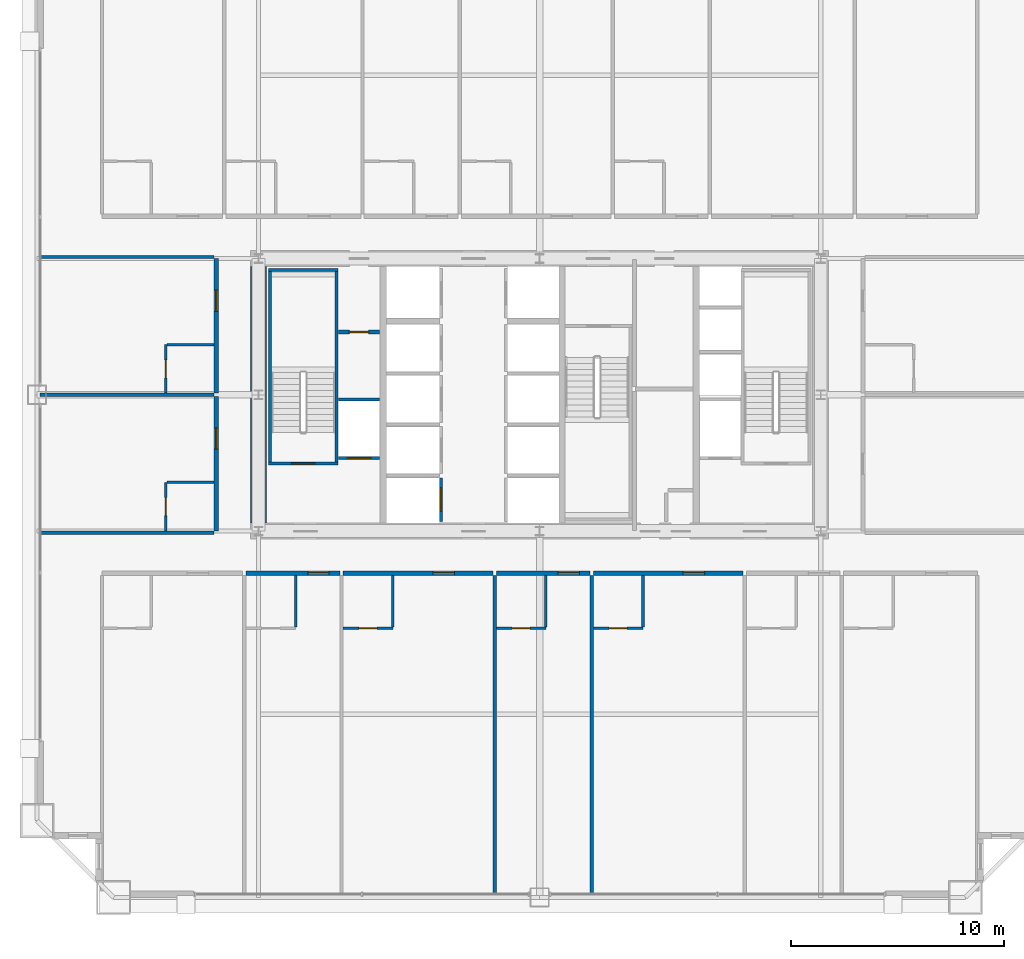
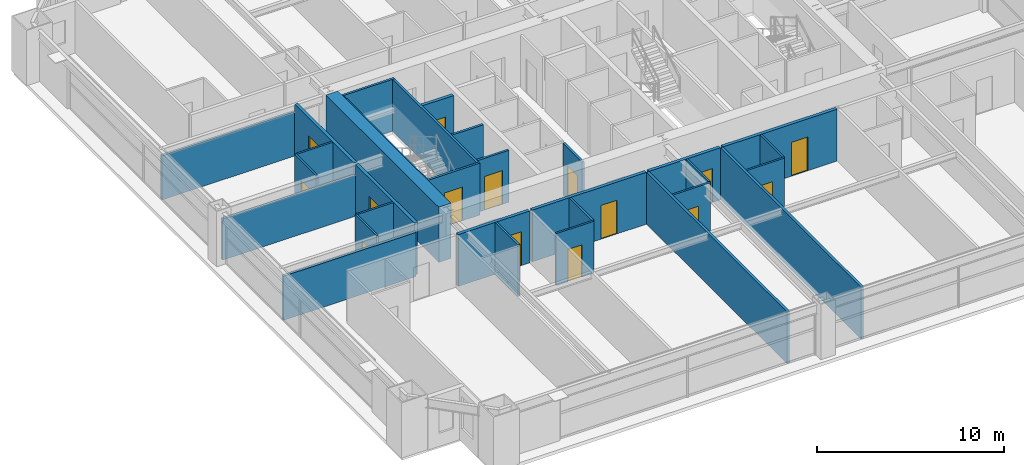
# One storey, part 34 of 38: 31 walls, 15 doors, 15 openings.
"""IFC4 building model written with IfcOpenShell, lengths in metres."""

from ifc_helpers import new_model, si_unit, direction, frame, frame_2d, origin, place, context, subcontext, project, spatial, rectangle, extrude, source, transform, mapped, material, layer, layer_set, type_object, element, fill, save


model = new_model("IFC4")

# Units and contexts
model_context = context("Model", 3, precision=1e-05, world=origin(), true_north=direction((0.0, 1.0)))
body_context = subcontext(model_context, "Body", "Model", "MODEL_VIEW")
ifc_project = project(units=[si_unit("LENGTHUNIT", "METRE"), si_unit("AREAUNIT", "SQUARE_METRE"), si_unit("VOLUMEUNIT", "CUBIC_METRE"), si_unit("PLANEANGLEUNIT", "RADIAN"), si_unit("MASSUNIT", "GRAM", prefix="KILO"), si_unit("THERMODYNAMICTEMPERATUREUNIT", "KELVIN"), si_unit("POWERUNIT", "WATT")], contexts=[model_context])

# Site, building, storey
site_placement = place(None, origin())
site = spatial("IfcSite", under=ifc_project, at=site_placement, CompositionType="ELEMENT")
building_placement = place(site_placement, origin())
building = spatial("IfcBuilding", under=site, at=building_placement, Name="Yuzanri Waterfront Tower", CompositionType="ELEMENT")
storey_placement = place(building_placement, frame((0.0, 0.0, 97.39990234375)))
storey = spatial("IfcBuildingStorey", under=building, at=storey_placement, Name="L25", CompositionType="ELEMENT", Elevation=97.39990234375)

# Wall, opening, door
ifc_material_1 = material(Name="Moisture-Resistant Gypsum Stud Wall", Category="gypsum")
ifc_layer_1 = layer(ifc_material_1, 0.1201171875)
ifc_layer_set_1 = layer_set([ifc_layer_1], Name="Moisture-Resistant Gypsum Stud Wall")
wall_type_1 = type_object("IfcWallType", Name="Bathroom and Kitchen Wet Partition 120", PredefinedType="PARTITIONING", material=ifc_layer_set_1)
wall_1_placement = place(storey_placement, frame((27.77490234375, 14.840087890625, 0.0), z_axis=(0.0, 0.0, 1.0), x_axis=(1.0, 0.0, 0.0)))
wall_1 = element("IfcWall", 1, at=wall_1_placement, inside=storey, type_object=wall_type_1, Name="L25 Partition UW-L25-S3-BS", PredefinedType="PARTITIONING", context=body_context, shape_type="SweptSolid", body=[
    extrude(rectangle(XDim=2.330078125, YDim=0.1201171875, at=frame_2d((1.1650390625, 0.0))), origin(), (0.0, 0.0, 1.0), 3.380126953125),
])
opening_1_placement = place(wall_1_placement, frame((0.739990234375, 0.0, 0.0)))
opening_1 = element("IfcOpeningElement", 2, at=opening_1_placement, cuts=wall_1, Name="Opening ID-0850", PredefinedType="OPENING", context=body_context, shape_type="SweptSolid", body=[
    extrude(rectangle(XDim=0.85009765625, YDim=2.10009765625, at=frame_2d((0.425048828125, 1.050048828125))), frame((0.0, 0.074951171875, 0.0), z_axis=(0.0, -1.0, 0.0), x_axis=(1.0, 0.0, 0.0)), (0.0, 0.0, 1.0), 0.14990234375),
])
ifc_material_2 = material(Name="Moisture-Resistant Lacquered Timber", Category="wood")
door_type_1 = type_object("IfcDoorType", Name="En-Suite Bathroom and Kitchen Swing Door 850x2100", OperationType="NOTDEFINED", PredefinedType="DOOR", material=ifc_material_2)
shared_shape_1 = source(origin(), body_context, "Body", "SweptSolid", [
    extrude(rectangle(XDim=0.85009765625, YDim=2.10009765625, at=frame_2d((0.425048828125, 1.050048828125))), frame((0.0, 0.02490234375, 0.0), z_axis=(0.0, -1.0, 0.0), x_axis=(1.0, 0.0, 0.0)), (0.0, 0.0, 1.0), 0.050048828125),
])
door_1_placement = place(opening_1_placement, origin())
door_1 = element("IfcDoor", 3, at=door_1_placement, inside=storey, type_object=door_type_1, Name="L25 Guest En-Suite Door", OperationType="SINGLE_SWING_LEFT", OverallHeight=2.10009765625, OverallWidth=0.85009765625, PredefinedType="DOOR", context=body_context, shape_type="MappedRepresentation", body=[
    mapped(shared_shape_1, transform((0.0, 0.0, 0.0), scale=1.0)),
])
fill(opening_1, door_1)

wall_2_placement = place(storey_placement, frame((34.965087890625, 14.840087890625, 0.0), z_axis=(0.0, 0.0, 1.0), x_axis=(1.0, 0.0, 0.0)))
wall_2 = element("IfcWall", 4, at=wall_2_placement, inside=storey, type_object=wall_type_1, Name="L25 Partition UW-L25-S4-BS", PredefinedType="PARTITIONING", context=body_context, shape_type="SweptSolid", body=[
    extrude(rectangle(XDim=2.328857421875, YDim=0.1201171875, at=frame_2d((1.16455078125, 0.0))), origin(), (0.0, 0.0, 1.0), 3.380126953125),
])
opening_2_placement = place(wall_2_placement, frame((0.739501953125, 0.0, 0.0)))
opening_2 = element("IfcOpeningElement", 5, at=opening_2_placement, cuts=wall_2, Name="Opening ID-0850", PredefinedType="OPENING", context=body_context, shape_type="SweptSolid", body=[
    extrude(rectangle(XDim=0.85009765625, YDim=2.10009765625, at=frame_2d((0.425048828125, 1.050048828125))), frame((0.0, 0.074951171875, 0.0), z_axis=(0.0, -1.0, 0.0), x_axis=(1.0, 0.0, 0.0)), (0.0, 0.0, 1.0), 0.14990234375),
])
door_2_placement = place(opening_2_placement, origin())
door_2 = element("IfcDoor", 6, at=door_2_placement, inside=storey, type_object=door_type_1, Name="L25 Guest En-Suite Door", OperationType="SINGLE_SWING_LEFT", OverallHeight=2.10009765625, OverallWidth=0.85009765625, PredefinedType="DOOR", context=body_context, shape_type="MappedRepresentation", body=[
    mapped(shared_shape_1, transform((0.0, 0.0, 0.0), scale=1.0)),
])
fill(opening_2, door_2)

wall_3_placement = place(storey_placement, frame((39.52392578125, 14.840087890625, 0.0), z_axis=(0.0, 0.0, 1.0), x_axis=(1.0, 0.0, 0.0)))
wall_3 = element("IfcWall", 7, at=wall_3_placement, inside=storey, type_object=wall_type_1, Name="L25 Partition UW-L25-S5-BS", PredefinedType="PARTITIONING", context=body_context, shape_type="SweptSolid", body=[
    extrude(rectangle(XDim=2.330078125, YDim=0.1201171875, at=frame_2d((1.1650390625, 0.0))), origin(), (0.0, 0.0, 1.0), 3.380126953125),
])
opening_3_placement = place(wall_3_placement, frame((0.739990234375, 0.0, 0.0)))
opening_3 = element("IfcOpeningElement", 8, at=opening_3_placement, cuts=wall_3, Name="Opening ID-0850", PredefinedType="OPENING", context=body_context, shape_type="SweptSolid", body=[
    extrude(rectangle(XDim=0.85009765625, YDim=2.10009765625, at=frame_2d((0.425048828125, 1.050048828125))), frame((0.0, 0.074951171875, 0.0), z_axis=(0.0, -1.0, 0.0), x_axis=(1.0, 0.0, 0.0)), (0.0, 0.0, 1.0), 0.14990234375),
])
door_3_placement = place(opening_3_placement, origin())
door_3 = element("IfcDoor", 9, at=door_3_placement, inside=storey, type_object=door_type_1, Name="L25 Guest En-Suite Door", OperationType="SINGLE_SWING_LEFT", OverallHeight=2.10009765625, OverallWidth=0.85009765625, PredefinedType="DOOR", context=body_context, shape_type="MappedRepresentation", body=[
    mapped(shared_shape_1, transform((0.0, 0.0, 0.0), scale=1.0)),
])
fill(opening_3, door_3)

wall_4_placement = place(storey_placement, frame((19.43994140625, 19.409912109375, 0.0), z_axis=(0.0, 0.0, 1.0), x_axis=(0.0, 1.0, 0.0)))
wall_4 = element("IfcWall", 10, at=wall_4_placement, inside=storey, type_object=wall_type_1, Name="L25 Partition UW-L25-W1-BW", PredefinedType="PARTITIONING", context=body_context, shape_type="SweptSolid", body=[
    extrude(rectangle(XDim=2.280029296875, YDim=0.1201171875, at=frame_2d((1.14013671875, 0.0))), origin(), (0.0, 0.0, 1.0), 3.380126953125),
])
opening_4_placement = place(wall_4_placement, frame((0.715087890625, 0.0, 0.0)))
opening_4 = element("IfcOpeningElement", 11, at=opening_4_placement, cuts=wall_4, Name="Opening ID-0850", PredefinedType="OPENING", context=body_context, shape_type="SweptSolid", body=[
    extrude(rectangle(XDim=0.85009765625, YDim=2.10009765625, at=frame_2d((0.425048828125, 1.050048828125))), frame((0.0, 0.074951171875, 0.0), z_axis=(0.0, -1.0, 0.0), x_axis=(1.0, 0.0, 0.0)), (0.0, 0.0, 1.0), 0.14990234375),
])
door_4_placement = place(opening_4_placement, origin())
door_4 = element("IfcDoor", 12, at=door_4_placement, inside=storey, type_object=door_type_1, Name="L25 Guest En-Suite Door", OperationType="SINGLE_SWING_LEFT", OverallHeight=2.10009765625, OverallWidth=0.85009765625, PredefinedType="DOOR", context=body_context, shape_type="MappedRepresentation", body=[
    mapped(shared_shape_1, transform((0.0, 0.0, 0.0), scale=1.0)),
])
fill(opening_4, door_4)

wall_5_placement = place(storey_placement, frame((19.43994140625, 25.8798828125, 0.0), z_axis=(0.0, 0.0, 1.0), x_axis=(0.0, 1.0, 0.0)))
wall_5 = element("IfcWall", 13, at=wall_5_placement, inside=storey, type_object=wall_type_1, Name="L25 Partition UW-L25-W2-BW", PredefinedType="PARTITIONING", context=body_context, shape_type="SweptSolid", body=[
    extrude(rectangle(XDim=2.280029296875, YDim=0.1201171875, at=frame_2d((1.14013671875, 0.0))), origin(), (0.0, 0.0, 1.0), 3.380126953125),
])
opening_5_placement = place(wall_5_placement, frame((0.715087890625, 0.0, 0.0)))
opening_5 = element("IfcOpeningElement", 14, at=opening_5_placement, cuts=wall_5, Name="Opening ID-0850", PredefinedType="OPENING", context=body_context, shape_type="SweptSolid", body=[
    extrude(rectangle(XDim=0.85009765625, YDim=2.10009765625, at=frame_2d((0.425048828125, 1.050048828125))), frame((0.0, 0.074951171875, 0.0), z_axis=(0.0, -1.0, 0.0), x_axis=(1.0, 0.0, 0.0)), (0.0, 0.0, 1.0), 0.14990234375),
])
door_5_placement = place(opening_5_placement, origin())
door_5 = element("IfcDoor", 15, at=door_5_placement, inside=storey, type_object=door_type_1, Name="L25 Guest En-Suite Door", OperationType="SINGLE_SWING_LEFT", OverallHeight=2.10009765625, OverallWidth=0.85009765625, PredefinedType="DOOR", context=body_context, shape_type="MappedRepresentation", body=[
    mapped(shared_shape_1, transform((0.0, 0.0, 0.0), scale=1.0)),
])
fill(opening_5, door_5)

ifc_material_3 = material(Name="Concrete C40", Category="concrete")
ifc_layer_2 = layer(ifc_material_3, 0.139892578125)
ifc_layer_set_2 = layer_set([ifc_layer_2], Name="Concrete C40")
wall_type_2 = type_object("IfcWallType", Name="Core Stair Liner and Hoistway Shaft Wall 140", PredefinedType="SOLIDWALL", material=ifc_layer_set_2)
wall_6_placement = place(storey_placement, frame((27.56005859375, 22.830078125, 0.0), z_axis=(0.0, 0.0, 1.0), x_axis=(1.0, 0.0, 0.0)))
wall_6 = element("IfcWall", 16, at=wall_6_placement, inside=storey, type_object=wall_type_2, Name="L25 Lift FL-01 Front Shaft Wall", PredefinedType="SOLIDWALL", context=body_context, shape_type="SweptSolid", body=[
    extrude(rectangle(XDim=1.919921875, YDim=0.139892578125, at=frame_2d((0.9599609375, 0.0))), origin(), (0.0, 0.0, 1.0), 3.380126953125),
])
opening_6_placement = place(wall_6_placement, frame((0.409912109375, 0.0, 0.0)))
opening_6 = element("IfcOpeningElement", 17, at=opening_6_placement, cuts=wall_6, Name="Opening LD-FL-01", PredefinedType="OPENING", context=body_context, shape_type="SweptSolid", body=[
    extrude(rectangle(XDim=1.10009765625, YDim=2.199951171875, at=frame_2d((0.550048828125, 1.10009765625))), frame((0.0, 0.0849609375, 0.0), z_axis=(0.0, -1.0, 0.0), x_axis=(1.0, 0.0, 0.0)), (0.0, 0.0, 1.0), 0.169677734375),
])
ifc_material_4 = material(Name="Brushed Bronze and Stainless Steel Cab", Category="steel")
door_type_2 = type_object("IfcDoorType", Name="Center-Parting Bronze Lift Landing Sliding Door 1100x2200", OperationType="NOTDEFINED", PredefinedType="DOOR", material=ifc_material_4)
shared_shape_2 = source(origin(), body_context, "Body", "SweptSolid", [
    extrude(rectangle(XDim=1.10009765625, YDim=2.199951171875, at=frame_2d((0.550048828125, 1.10009765625))), frame((0.0, 0.02490234375, 0.0), z_axis=(0.0, -1.0, 0.0), x_axis=(1.0, 0.0, 0.0)), (0.0, 0.0, 1.0), 0.050048828125),
])
door_6_placement = place(opening_6_placement, origin())
door_6 = element("IfcDoor", 18, at=door_6_placement, inside=storey, type_object=door_type_2, Name="L25 FL-01 Lift Landing Sliding Door", OperationType="SLIDING_TO_LEFT", OverallHeight=2.199951171875, OverallWidth=1.10009765625, PredefinedType="DOOR", context=body_context, shape_type="MappedRepresentation", body=[
    mapped(shared_shape_2, transform((0.0, 0.0, 0.0), scale=1.0)),
])
fill(opening_6, door_6)

wall_7_placement = place(storey_placement, frame((32.3701171875, 19.860107421875, 0.0), z_axis=(0.0, 0.0, 1.0), x_axis=(0.0, 1.0, 0.0)))
wall_7 = element("IfcWall", 19, at=wall_7_placement, inside=storey, type_object=wall_type_2, Name="L25 Lift PL-01 Front Shaft Wall", PredefinedType="SOLIDWALL", context=body_context, shape_type="SweptSolid", body=[
    extrude(rectangle(XDim=2.039794921875, YDim=0.139892578125, at=frame_2d((1.02001953125, 0.0))), origin(), (0.0, 0.0, 1.0), 3.380126953125),
])
opening_7_placement = place(wall_7_placement, frame((0.469970703125, 0.0, 0.0)))
opening_7 = element("IfcOpeningElement", 20, at=opening_7_placement, cuts=wall_7, Name="Opening LD-PL-01", PredefinedType="OPENING", context=body_context, shape_type="SweptSolid", body=[
    extrude(rectangle(XDim=1.10009765625, YDim=2.199951171875, at=frame_2d((0.550048828125, 1.10009765625))), frame((0.0, 0.0849609375, 0.0), z_axis=(0.0, -1.0, 0.0), x_axis=(1.0, 0.0, 0.0)), (0.0, 0.0, 1.0), 0.169677734375),
])
door_7_placement = place(opening_7_placement, origin())
door_7 = element("IfcDoor", 21, at=door_7_placement, inside=storey, type_object=door_type_2, Name="L25 PL-01 Lift Landing Sliding Door", OperationType="SLIDING_TO_LEFT", OverallHeight=2.199951171875, OverallWidth=1.10009765625, PredefinedType="DOOR", context=body_context, shape_type="MappedRepresentation", body=[
    mapped(shared_shape_2, transform((0.0, 0.0, 0.0), scale=1.0)),
])
fill(opening_7, door_7)

wall_8_placement = place(storey_placement, frame((24.260009765625, 22.570068359375, 0.0), z_axis=(0.0, 0.0, 1.0), x_axis=(1.0, 0.0, 0.0)))
wall_8 = element("IfcWall", 22, at=wall_8_placement, inside=storey, type_object=wall_type_2, Name="L25 Shaft Wall STW-L25-ST-01-S", PredefinedType="SOLIDWALL", context=body_context, shape_type="SweptSolid", body=[
    extrude(rectangle(XDim=3.280029296875, YDim=0.139892578125, at=frame_2d((1.64013671875, 0.0))), origin(), (0.0, 0.0, 1.0), 3.380126953125),
])
opening_8_placement = place(wall_8_placement, frame((1.090087890625, 0.0, 0.0)))
opening_8 = element("IfcOpeningElement", 23, at=opening_8_placement, cuts=wall_8, Name="Opening FD-1100", PredefinedType="OPENING", context=body_context, shape_type="SweptSolid", body=[
    extrude(rectangle(XDim=1.10009765625, YDim=2.199951171875, at=frame_2d((0.550048828125, 1.10009765625))), frame((0.0, 0.0849609375, 0.0), z_axis=(0.0, -1.0, 0.0), x_axis=(1.0, 0.0, 0.0)), (0.0, 0.0, 1.0), 0.169677734375),
])
ifc_material_5 = material(Name="Painted Galvanized Fire Steel", Category="steel")
door_type_3 = type_object("IfcDoorType", Name="Smoke-Proof Stair and Lobby Fire Door 1100x2200", OperationType="NOTDEFINED", PredefinedType="DOOR", material=ifc_material_5)
shared_shape_3 = source(origin(), body_context, "Body", "SweptSolid", [
    extrude(rectangle(XDim=1.10009765625, YDim=2.199951171875, at=frame_2d((0.550048828125, 1.10009765625))), frame((0.0, 0.02490234375, 0.0), z_axis=(0.0, -1.0, 0.0), x_axis=(1.0, 0.0, 0.0)), (0.0, 0.0, 1.0), 0.050048828125),
])
door_8_placement = place(opening_8_placement, origin())
door_8 = element("IfcDoor", 24, at=door_8_placement, inside=storey, type_object=door_type_3, Name="L25 Stair ST-01 Fire Door", OperationType="SINGLE_SWING_LEFT", OverallHeight=2.199951171875, OverallWidth=1.10009765625, PredefinedType="DOOR", context=body_context, shape_type="MappedRepresentation", body=[
    mapped(shared_shape_3, transform((0.0, 0.0, 0.0), scale=1.0)),
])
fill(opening_8, door_8)

ifc_material_6 = material(Name="Autoclaved Aerated Concrete Blockwork", Category="masonry")
ifc_layer_3 = layer(ifc_material_6, 0.199951171875)
ifc_layer_set_3 = layer_set([ifc_layer_3], Name="Autoclaved Aerated Concrete Blockwork")
wall_type_3 = type_object("IfcWallType", Name="Corridor and Unit Party Fire Wall 200", PredefinedType="PARTITIONING", material=ifc_layer_set_3)
wall_9_placement = place(storey_placement, frame((27.56005859375, 28.75, 0.0), z_axis=(0.0, 0.0, 1.0), x_axis=(1.0, 0.0, 0.0)))
wall_9 = element("IfcWall", 25, at=wall_9_placement, inside=storey, type_object=wall_type_3, Name="L25 Partition CRW-L25-ERTR", PredefinedType="PARTITIONING", context=body_context, shape_type="SweptSolid", body=[
    extrude(rectangle(XDim=1.919921875, YDim=0.199951171875, at=frame_2d((0.9599609375, 0.0))), origin(), (0.0, 0.0, 1.0), 3.380126953125),
])
opening_9_placement = place(wall_9_placement, frame((0.510009765625, 0.0, 0.0)))
opening_9 = element("IfcOpeningElement", 26, at=opening_9_placement, cuts=wall_9, Name="Opening FD-0900", PredefinedType="OPENING", context=body_context, shape_type="SweptSolid", body=[
    extrude(rectangle(XDim=0.89990234375, YDim=2.14990234375, at=frame_2d((0.449951171875, 1.074951171875))), frame((0.0, 0.11474609375, 0.0), z_axis=(0.0, -1.0, 0.0), x_axis=(1.0, 0.0, 0.0)), (0.0, 0.0, 1.0), 0.229736328125),
])
ifc_material_7 = material(Name="Painted Galvanized Fire Steel", Category="steel")
door_type_4 = type_object("IfcDoorType", Name="Riser and Service Room Fire Door 900x2150", OperationType="NOTDEFINED", PredefinedType="DOOR", material=ifc_material_7)
shared_shape_4 = source(origin(), body_context, "Body", "SweptSolid", [
    extrude(rectangle(XDim=0.89990234375, YDim=2.14990234375, at=frame_2d((0.449951171875, 1.074951171875))), frame((0.0, 0.02490234375, 0.0), z_axis=(0.0, -1.0, 0.0), x_axis=(1.0, 0.0, 0.0)), (0.0, 0.0, 1.0), 0.050048828125),
])
door_9_placement = place(opening_9_placement, origin())
door_9 = element("IfcDoor", 27, at=door_9_placement, inside=storey, type_object=door_type_4, Name="L25 Electrical Riser Door", OperationType="SINGLE_SWING_RIGHT", OverallHeight=2.14990234375, OverallWidth=0.89990234375, PredefinedType="DOOR", context=body_context, shape_type="MappedRepresentation", body=[
    mapped(shared_shape_4, transform((0.0, 0.0, 0.0), scale=1.0)),
])
fill(opening_9, door_9)

wall_10_placement = place(storey_placement, frame((23.217041015625, 17.419921875, 0.0), z_axis=(0.0, 0.0, 1.0), x_axis=(1.0, 0.0, 0.0)))
wall_10 = element("IfcWall", 28, at=wall_10_placement, inside=storey, type_object=wall_type_3, Name="L25 Partition UW-L25-S2-CN", PredefinedType="PARTITIONING", context=body_context, shape_type="SweptSolid", body=[
    extrude(rectangle(XDim=4.39794921875, YDim=0.199951171875, at=frame_2d((2.198974609375, 0.0))), origin(), (0.0, 0.0, 1.0), 3.380126953125),
])
opening_10_placement = place(wall_10_placement, frame((2.903076171875, 0.0, 0.0)))
opening_10 = element("IfcOpeningElement", 29, at=opening_10_placement, cuts=wall_10, Name="Opening FD-1000", PredefinedType="OPENING", context=body_context, shape_type="SweptSolid", body=[
    extrude(rectangle(XDim=1.0, YDim=2.199951171875, at=frame_2d((0.5, 1.10009765625))), frame((0.0, 0.11474609375, 0.0), z_axis=(0.0, -1.0, 0.0), x_axis=(1.0, 0.0, 0.0)), (0.0, 0.0, 1.0), 0.229736328125),
])
ifc_material_8 = material(Name="Engineered Oak Fire-Rated Timber", Category="wood")
door_type_5 = type_object("IfcDoorType", Name="Guestroom and Apartment Entrance Fire Door 1000x2200", OperationType="NOTDEFINED", PredefinedType="DOOR", material=ifc_material_8)
shared_shape_5 = source(origin(), body_context, "Body", "SweptSolid", [
    extrude(rectangle(XDim=1.0, YDim=2.199951171875, at=frame_2d((0.5, 1.10009765625))), frame((0.0, 0.02490234375, 0.0), z_axis=(0.0, -1.0, 0.0), x_axis=(1.0, 0.0, 0.0)), (0.0, 0.0, 1.0), 0.050048828125),
])
door_10_placement = place(opening_10_placement, origin())
door_10 = element("IfcDoor", 30, at=door_10_placement, inside=storey, type_object=door_type_5, Name="L25 Superior King Guest Room Entrance Door", OperationType="SINGLE_SWING_RIGHT", OverallHeight=2.199951171875, OverallWidth=1.0, PredefinedType="DOOR", context=body_context, shape_type="MappedRepresentation", body=[
    mapped(shared_shape_5, transform((0.0, 0.0, 0.0), scale=1.0)),
])
fill(opening_10, door_10)

wall_11_placement = place(storey_placement, frame((27.77490234375, 17.419921875, 0.0), z_axis=(0.0, 0.0, 1.0), x_axis=(1.0, 0.0, 0.0)))
wall_11 = element("IfcWall", 31, at=wall_11_placement, inside=storey, type_object=wall_type_3, Name="L25 Partition UW-L25-S3-CN", PredefinedType="PARTITIONING", context=body_context, shape_type="SweptSolid", body=[
    extrude(rectangle(XDim=7.030029296875, YDim=0.199951171875, at=frame_2d((3.51513671875, 0.0))), origin(), (0.0, 0.0, 1.0), 3.380126953125),
])
opening_11_placement = place(wall_11_placement, frame((4.219970703125, 0.0, 0.0)))
opening_11 = element("IfcOpeningElement", 32, at=opening_11_placement, cuts=wall_11, Name="Opening FD-1000", PredefinedType="OPENING", context=body_context, shape_type="SweptSolid", body=[
    extrude(rectangle(XDim=1.0, YDim=2.199951171875, at=frame_2d((0.5, 1.10009765625))), frame((0.0, 0.11474609375, 0.0), z_axis=(0.0, -1.0, 0.0), x_axis=(1.0, 0.0, 0.0)), (0.0, 0.0, 1.0), 0.229736328125),
])
door_11_placement = place(opening_11_placement, origin())
door_11 = element("IfcDoor", 33, at=door_11_placement, inside=storey, type_object=door_type_5, Name="L25 Superior King Junior Suite Entrance Door", OperationType="SINGLE_SWING_RIGHT", OverallHeight=2.199951171875, OverallWidth=1.0, PredefinedType="DOOR", context=body_context, shape_type="MappedRepresentation", body=[
    mapped(shared_shape_5, transform((0.0, 0.0, 0.0), scale=1.0)),
])
fill(opening_11, door_11)

wall_12_placement = place(storey_placement, frame((34.965087890625, 17.419921875, 0.0), z_axis=(0.0, 0.0, 1.0), x_axis=(1.0, 0.0, 0.0)))
wall_12 = element("IfcWall", 34, at=wall_12_placement, inside=storey, type_object=wall_type_3, Name="L25 Partition UW-L25-S4-CN", PredefinedType="PARTITIONING", context=body_context, shape_type="SweptSolid", body=[
    extrude(rectangle(XDim=4.39892578125, YDim=0.199951171875, at=frame_2d((2.199462890625, 0.0))), origin(), (0.0, 0.0, 1.0), 3.380126953125),
])
opening_12_placement = place(wall_12_placement, frame((2.904052734375, 0.0, 0.0)))
opening_12 = element("IfcOpeningElement", 35, at=opening_12_placement, cuts=wall_12, Name="Opening FD-1000", PredefinedType="OPENING", context=body_context, shape_type="SweptSolid", body=[
    extrude(rectangle(XDim=1.0, YDim=2.199951171875, at=frame_2d((0.5, 1.10009765625))), frame((0.0, 0.11474609375, 0.0), z_axis=(0.0, -1.0, 0.0), x_axis=(1.0, 0.0, 0.0)), (0.0, 0.0, 1.0), 0.229736328125),
])
door_12_placement = place(opening_12_placement, origin())
door_12 = element("IfcDoor", 36, at=door_12_placement, inside=storey, type_object=door_type_5, Name="L25 Superior King Guest Room Entrance Door", OperationType="SINGLE_SWING_RIGHT", OverallHeight=2.199951171875, OverallWidth=1.0, PredefinedType="DOOR", context=body_context, shape_type="MappedRepresentation", body=[
    mapped(shared_shape_5, transform((0.0, 0.0, 0.0), scale=1.0)),
])
fill(opening_12, door_12)

wall_13_placement = place(storey_placement, frame((39.52392578125, 17.419921875, 0.0), z_axis=(0.0, 0.0, 1.0), x_axis=(1.0, 0.0, 0.0)))
wall_13 = element("IfcWall", 37, at=wall_13_placement, inside=storey, type_object=wall_type_3, Name="L25 Partition UW-L25-S5-CN", PredefinedType="PARTITIONING", context=body_context, shape_type="SweptSolid", body=[
    extrude(rectangle(XDim=7.030029296875, YDim=0.199951171875, at=frame_2d((3.51513671875, 0.0))), origin(), (0.0, 0.0, 1.0), 3.380126953125),
])
opening_13_placement = place(wall_13_placement, frame((4.219970703125, 0.0, 0.0)))
opening_13 = element("IfcOpeningElement", 38, at=opening_13_placement, cuts=wall_13, Name="Opening FD-1000", PredefinedType="OPENING", context=body_context, shape_type="SweptSolid", body=[
    extrude(rectangle(XDim=1.0, YDim=2.199951171875, at=frame_2d((0.5, 1.10009765625))), frame((0.0, 0.11474609375, 0.0), z_axis=(0.0, -1.0, 0.0), x_axis=(1.0, 0.0, 0.0)), (0.0, 0.0, 1.0), 0.229736328125),
])
door_13_placement = place(opening_13_placement, origin())
door_13 = element("IfcDoor", 39, at=door_13_placement, inside=storey, type_object=door_type_5, Name="L25 Superior King Junior Suite Entrance Door", OperationType="SINGLE_SWING_RIGHT", OverallHeight=2.199951171875, OverallWidth=1.0, PredefinedType="DOOR", context=body_context, shape_type="MappedRepresentation", body=[
    mapped(shared_shape_5, transform((0.0, 0.0, 0.0), scale=1.0)),
])
fill(opening_13, door_13)

wall_14_placement = place(storey_placement, frame((21.820068359375, 19.409912109375, 0.0), z_axis=(0.0, 0.0, 1.0), x_axis=(0.0, 1.0, 0.0)))
wall_14 = element("IfcWall", 40, at=wall_14_placement, inside=storey, type_object=wall_type_3, Name="L25 Partition UW-L25-W1-CW", PredefinedType="PARTITIONING", context=body_context, shape_type="SweptSolid", body=[
    extrude(rectangle(XDim=6.31005859375, YDim=0.199951171875, at=frame_2d((3.155029296875, 0.0))), origin(), (0.0, 0.0, 1.0), 3.380126953125),
])
opening_14_placement = place(wall_14_placement, frame((3.8349609375, 0.0, 0.0)))
opening_14 = element("IfcOpeningElement", 41, at=opening_14_placement, cuts=wall_14, Name="Opening FD-1000", PredefinedType="OPENING", context=body_context, shape_type="SweptSolid", body=[
    extrude(rectangle(XDim=1.0, YDim=2.199951171875, at=frame_2d((0.5, 1.10009765625))), frame((0.0, 0.11474609375, 0.0), z_axis=(0.0, -1.0, 0.0), x_axis=(1.0, 0.0, 0.0)), (0.0, 0.0, 1.0), 0.229736328125),
])
door_14_placement = place(opening_14_placement, origin())
door_14 = element("IfcDoor", 42, at=door_14_placement, inside=storey, type_object=door_type_5, Name="L25 West Suite Entrance Door", OperationType="SINGLE_SWING_RIGHT", OverallHeight=2.199951171875, OverallWidth=1.0, PredefinedType="DOOR", context=body_context, shape_type="MappedRepresentation", body=[
    mapped(shared_shape_5, transform((0.0, 0.0, 0.0), scale=1.0)),
])
fill(opening_14, door_14)

wall_15_placement = place(storey_placement, frame((21.820068359375, 25.8798828125, 0.0), z_axis=(0.0, 0.0, 1.0), x_axis=(0.0, 1.0, 0.0)))
wall_15 = element("IfcWall", 43, at=wall_15_placement, inside=storey, type_object=wall_type_3, Name="L25 Partition UW-L25-W2-CW", PredefinedType="PARTITIONING", context=body_context, shape_type="SweptSolid", body=[
    extrude(rectangle(XDim=6.31005859375, YDim=0.199951171875, at=frame_2d((3.155029296875, 0.0))), origin(), (0.0, 0.0, 1.0), 3.380126953125),
])
opening_15_placement = place(wall_15_placement, frame((3.8349609375, 0.0, 0.0)))
opening_15 = element("IfcOpeningElement", 44, at=opening_15_placement, cuts=wall_15, Name="Opening FD-1000", PredefinedType="OPENING", context=body_context, shape_type="SweptSolid", body=[
    extrude(rectangle(XDim=1.0, YDim=2.199951171875, at=frame_2d((0.5, 1.10009765625))), frame((0.0, 0.11474609375, 0.0), z_axis=(0.0, -1.0, 0.0), x_axis=(1.0, 0.0, 0.0)), (0.0, 0.0, 1.0), 0.229736328125),
])
door_15_placement = place(opening_15_placement, origin())
door_15 = element("IfcDoor", 45, at=door_15_placement, inside=storey, type_object=door_type_5, Name="L25 West Suite Entrance Door", OperationType="SINGLE_SWING_RIGHT", OverallHeight=2.199951171875, OverallWidth=1.0, PredefinedType="DOOR", context=body_context, shape_type="MappedRepresentation", body=[
    mapped(shared_shape_5, transform((0.0, 0.0, 0.0), scale=1.0)),
])
fill(opening_15, door_15)

# Walls
ifc_material_9 = material(Name="Concrete C55", Category="concrete")
ifc_layer_4 = layer(ifc_material_9, 0.75)
ifc_layer_set_4 = layer_set([ifc_layer_4], Name="Concrete C55")
wall_type_4 = type_object("IfcWallType", Name="Concrete C55 Low-Mid Zone Core Shear Wall 750", PredefinedType="SHEAR", material=ifc_layer_set_4)
shared_shape_6 = source(origin(), body_context, "Body", "SweptSolid", [
    extrude(rectangle(XDim=12.050048828125, YDim=0.75, at=frame_2d((6.02490234375, 0.0))), origin(), (0.0, 0.0, 1.0), 3.60009765625),
])
wall_16_placement = place(storey_placement, frame((23.800048828125, 19.77490234375, 0.0), z_axis=(0.0, 0.0, 1.0), x_axis=(0.0, 1.0, 0.0)))
element("IfcWall", 46, at=wall_16_placement, inside=storey, type_object=wall_type_4, Name="L25 Core West Shear Wall", PredefinedType="SHEAR", context=body_context, shape_type="MappedRepresentation", body=[
    mapped(shared_shape_6, transform((0.0, 0.0, 0.0), scale=1.0)),
])
shared_shape_7 = source(origin(), body_context, "Body", "SweptSolid", [
    extrude(rectangle(XDim=1.919921875, YDim=0.139892578125, at=frame_2d((0.9599609375, 0.0))), origin(), (0.0, 0.0, 1.0), 3.380126953125),
])
wall_17_placement = place(storey_placement, frame((27.56005859375, 25.570068359375, 0.0), z_axis=(0.0, 0.0, 1.0), x_axis=(1.0, 0.0, 0.0)))
element("IfcWall", 47, at=wall_17_placement, inside=storey, type_object=wall_type_2, Name="L25 Lift FL-01 Back Shaft Wall", PredefinedType="SOLIDWALL", context=body_context, shape_type="MappedRepresentation", body=[
    mapped(shared_shape_7, transform((0.0, 0.0, 0.0), scale=1.0)),
])
shared_shape_8 = source(origin(), body_context, "Body", "SweptSolid", [
    extrude(rectangle(XDim=3.280029296875, YDim=0.139892578125, at=frame_2d((1.64013671875, 0.0))), origin(), (0.0, 0.0, 1.0), 3.380126953125),
])
wall_18_placement = place(storey_placement, frame((24.260009765625, 31.64990234375, 0.0), z_axis=(0.0, 0.0, 1.0), x_axis=(1.0, 0.0, 0.0)))
element("IfcWall", 48, at=wall_18_placement, inside=storey, type_object=wall_type_2, Name="L25 Stair ST-01 North Shaft Wall", PredefinedType="SOLIDWALL", context=body_context, shape_type="MappedRepresentation", body=[
    mapped(shared_shape_8, transform((0.0, 0.0, 0.0), scale=1.0)),
])
shared_shape_9 = source(origin(), body_context, "Body", "SweptSolid", [
    extrude(rectangle(XDim=8.940185546875, YDim=0.139892578125, at=frame_2d((4.47021484375, 0.0))), origin(), (0.0, 0.0, 1.0), 3.380126953125),
])
for number, where, z_axis, x_axis, name in (
    (49, (24.330078125, 22.639892578125, 0.0), (0.0, 0.0, 1.0), (0.0, 1.0, 0.0), "L25 Stair ST-01 West Shaft Wall"),
    (50, (27.469970703125, 22.639892578125, 0.0), (0.0, 0.0, 1.0), (0.0, 1.0, 0.0), "L25 Stair ST-01 East Shaft Wall"),
):
    element("IfcWall", number, at=place(storey_placement, frame(where, z_axis=z_axis, x_axis=x_axis)), inside=storey, type_object=wall_type_2, Name=name, PredefinedType="SOLIDWALL", context=body_context, shape_type="MappedRepresentation", body=[
        mapped(shared_shape_9, transform((0.0, 0.0, 0.0), scale=1.0)),
    ])
shared_shape_10 = source(origin(), body_context, "Body", "SweptSolid", [
    extrude(rectangle(XDim=2.420166015625, YDim=0.1201171875, at=frame_2d((1.2099609375, 0.0))), origin(), (0.0, 0.0, 1.0), 3.380126953125),
])
for number, where, z_axis, x_axis, name in (
    (51, (25.544921875, 14.89990234375, 0.0), (0.0, 0.0, 1.0), (0.0, 1.0, 0.0), "L25-S2 En-Suite Side Wall"),
    (52, (30.10498046875, 14.89990234375, 0.0), (0.0, 0.0, 1.0), (0.0, 1.0, 0.0), "L25-S3 En-Suite Side Wall"),
    (53, (37.2939453125, 14.89990234375, 0.0), (0.0, 0.0, 1.0), (0.0, 1.0, 0.0), "L25-S4 En-Suite Side Wall"),
    (54, (41.85400390625, 14.89990234375, 0.0), (0.0, 0.0, 1.0), (0.0, 1.0, 0.0), "L25-S5 En-Suite Side Wall"),
):
    element("IfcWall", number, at=place(storey_placement, frame(where, z_axis=z_axis, x_axis=x_axis)), inside=storey, type_object=wall_type_1, Name=name, PredefinedType="PARTITIONING", context=body_context, shape_type="MappedRepresentation", body=[
        mapped(shared_shape_10, transform((0.0, 0.0, 0.0), scale=1.0)),
    ])
shared_shape_11 = source(origin(), body_context, "Body", "SweptSolid", [
    extrude(rectangle(XDim=2.219970703125, YDim=0.1201171875, at=frame_2d((1.10986328125, 0.0))), origin(), (0.0, 0.0, 1.0), 3.380126953125),
])
for number, where, z_axis, x_axis, name in (
    (55, (19.5, 21.68994140625, 0.0), (0.0, 0.0, 1.0), (1.0, 0.0, 0.0), "L25-W1 En-Suite Top Wall"),
    (56, (19.5, 28.159912109375, 0.0), (0.0, 0.0, 1.0), (1.0, 0.0, 0.0), "L25-W2 En-Suite Top Wall"),
):
    element("IfcWall", number, at=place(storey_placement, frame(where, z_axis=z_axis, x_axis=x_axis)), inside=storey, type_object=wall_type_1, Name=name, PredefinedType="PARTITIONING", context=body_context, shape_type="MappedRepresentation", body=[
        mapped(shared_shape_11, transform((0.0, 0.0, 0.0), scale=1.0)),
    ])
ifc_material_10 = material(Name="Gypsum Fireboard Acoustic Stud Wall", Category="gypsum")
ifc_layer_5 = layer(ifc_material_10, 0.159912109375)
ifc_layer_set_5 = layer_set([ifc_layer_5], Name="Gypsum Fireboard Acoustic Stud Wall")
wall_type_5 = type_object("IfcWallType", Name="Acoustic Suite Demising Partition 160", PredefinedType="PARTITIONING", material=ifc_layer_set_5)
shared_shape_12 = source(origin(), body_context, "Body", "SweptSolid", [
    extrude(rectangle(XDim=14.969970703125, YDim=0.159912109375, at=frame_2d((7.48486328125, 0.0))), origin(), (0.0, 0.0, 1.0), 3.380126953125),
])
for number, where, z_axis, x_axis, name in (
    (57, (34.885009765625, 2.35009765625, 0.0), (0.0, 0.0, 1.0), (0.0, 1.0, 0.0), "L25-S3 Party Wall"),
    (58, (39.444091796875, 2.35009765625, 0.0), (0.0, 0.0, 1.0), (0.0, 1.0, 0.0), "L25-S4 Party Wall"),
):
    element("IfcWall", number, at=place(storey_placement, frame(where, z_axis=z_axis, x_axis=x_axis)), inside=storey, type_object=wall_type_5, Name=name, PredefinedType="PARTITIONING", context=body_context, shape_type="MappedRepresentation", body=[
        mapped(shared_shape_12, transform((0.0, 0.0, 0.0), scale=1.0)),
    ])
shared_shape_13 = source(origin(), body_context, "Body", "SweptSolid", [
    extrude(rectangle(XDim=8.169921875, YDim=0.159912109375, at=frame_2d((4.0849609375, 0.0))), origin(), (0.0, 0.0, 1.0), 2.675048828125),
])
wall_19_placement = place(storey_placement, frame((13.550048828125, 25.800048828125, 0.0), z_axis=(0.0, 0.0, 1.0), x_axis=(1.0, 0.0, 0.0)))
element("IfcWall", 59, at=wall_19_placement, inside=storey, type_object=wall_type_5, Name="L25-W1 Wing Party Wall", PredefinedType="PARTITIONING", context=body_context, shape_type="MappedRepresentation", body=[
    mapped(shared_shape_13, transform((0.0, 0.0, 0.0), scale=1.0)),
])
shared_shape_14 = source(origin(), body_context, "Body", "SweptSolid", [
    extrude(rectangle(XDim=8.169921875, YDim=0.159912109375, at=frame_2d((4.0849609375, 0.0))), origin(), (0.0, 0.0, 1.0), 2.875),
])
for number, where, z_axis, x_axis, name in (
    (60, (13.550048828125, 19.330078125, 0.0), (0.0, 0.0, 1.0), (1.0, 0.0, 0.0), "L25-W1 Wing South End Wall"),
    (61, (13.550048828125, 32.27001953125, 0.0), (0.0, 0.0, 1.0), (1.0, 0.0, 0.0), "L25-W2 Wing North End Wall"),
):
    element("IfcWall", number, at=place(storey_placement, frame(where, z_axis=z_axis, x_axis=x_axis)), inside=storey, type_object=wall_type_5, Name=name, PredefinedType="PARTITIONING", context=body_context, shape_type="MappedRepresentation", body=[
        mapped(shared_shape_14, transform((0.0, 0.0, 0.0), scale=1.0)),
    ])

save(model, "model.ifc")
